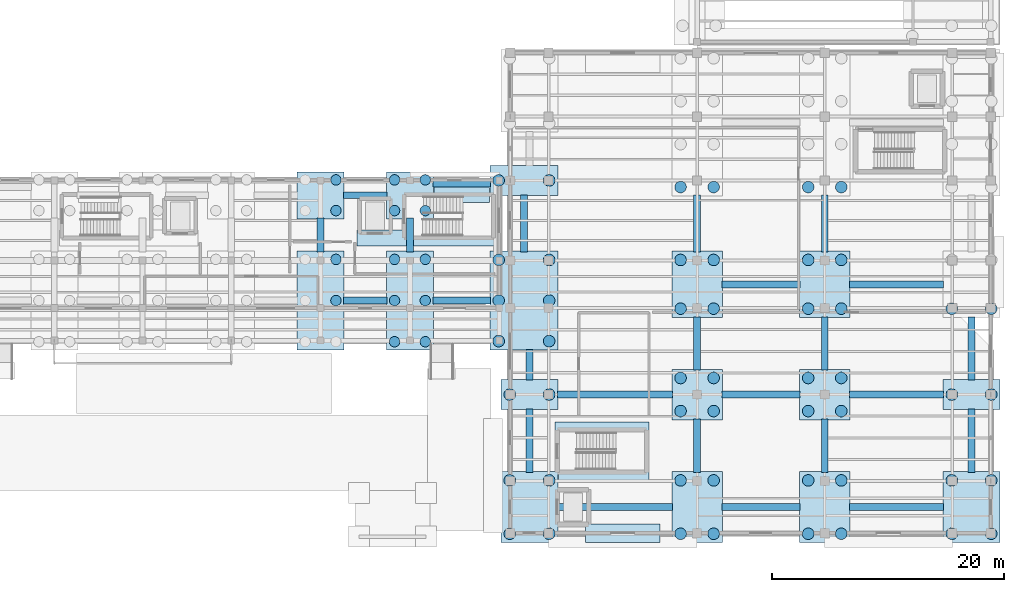
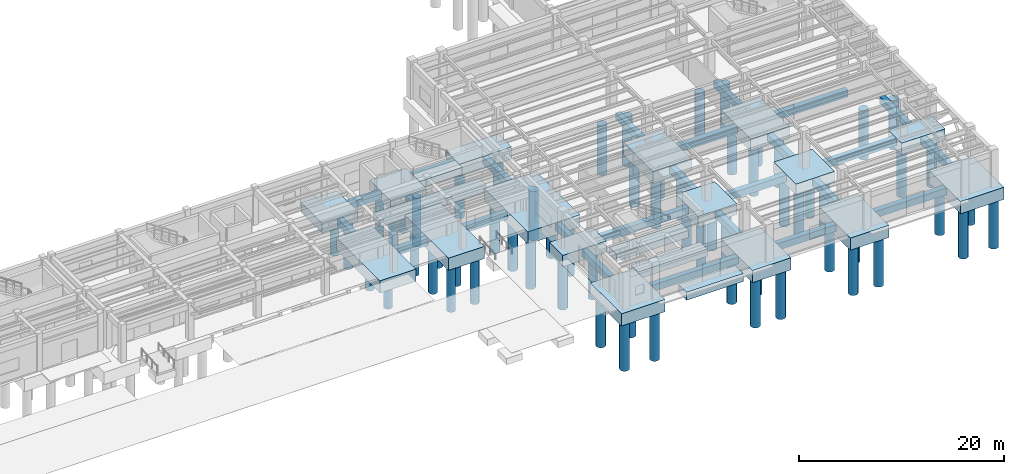
# One storey, part 3 of 41: 64 piles, 46 footings.
"""IFC4 building model written with IfcOpenShell, lengths in metres."""

from ifc_helpers import new_model, si_unit, direction, frame, origin, origin_2d, place, context, subcontext, project, spatial, rectangle, circle, extrude, material, material_profile, profile_set, type_object, element, save


model = new_model("IFC4")

# Units and contexts
model_context = context("Model", 3, precision=1e-05, world=origin(), true_north=direction((0.0, 1.0)))
body_context = subcontext(model_context, "Body", "Model", "MODEL_VIEW")
ifc_project = project(units=[si_unit("LENGTHUNIT", "METRE"), si_unit("AREAUNIT", "SQUARE_METRE"), si_unit("VOLUMEUNIT", "CUBIC_METRE"), si_unit("PLANEANGLEUNIT", "RADIAN"), si_unit("MASSUNIT", "GRAM", prefix="KILO")], contexts=[model_context])

# Site, building, storey
site_placement = place(None, origin())
site = spatial("IfcSite", under=ifc_project, at=site_placement, CompositionType="ELEMENT")
building_placement = place(site_placement, origin())
building = spatial("IfcBuilding", under=site, at=building_placement, Name="Candilejo Ridge Gondola Terminal", CompositionType="ELEMENT")
storey_placement = place(building_placement, origin())
storey = spatial("IfcBuildingStorey", under=building, at=storey_placement, Name="L00", CompositionType="ELEMENT", Elevation=0.0)

# Piles
ifc_material_1 = material(Name="Concrete f'c 28 MPa (C28/35)", Category="concrete")
ifc_material_profile_1 = material_profile(ifc_material_1, circle(Radius=0.5, at=origin_2d()))
ifc_profile_set_1 = profile_set([ifc_material_profile_1], Name="Concrete f'c 28 MPa (C28/35)")
pile_type_1 = type_object("IfcPileType", Name="STR-BORED-PILE-D1000", PredefinedType="BORED", material=ifc_profile_set_1)
for number, where, z_axis, x_axis, name in (
    (1, (132.89990234375, 22.85009765625, -1.35009765625), (0.0, 0.0, -1.0), (1.0, 0.0, 0.0), "Bored pile L00-185"),
    (2, (132.89990234375, 26.35009765625, -1.35009765625), (0.0, 0.0, -1.0), (1.0, 0.0, 0.0), "Bored pile L00-186"),
    (3, (132.89990234375, 29.85009765625, -1.35009765625), (0.0, 0.0, -1.0), (1.0, 0.0, 0.0), "Bored pile L00-187"),
    (4, (137.25, 22.85009765625, -1.35009765625), (0.0, 0.0, -1.0), (1.0, 0.0, 0.0), "Bored pile L00-188"),
    (5, (137.25, 26.35009765625, -1.35009765625), (0.0, 0.0, -1.0), (1.0, 0.0, 0.0), "Bored pile L00-189"),
    (6, (137.25, 29.85009765625, -1.35009765625), (0.0, 0.0, -1.0), (1.0, 0.0, 0.0), "Bored pile L00-190"),
    (7, (132.89990234375, 36.699951171875, -1.35009765625), (0.0, 0.0, -1.0), (1.0, 0.0, 0.0), "Bored pile L00-191"),
    (8, (137.25, 36.699951171875, -1.35009765625), (0.0, 0.0, -1.0), (1.0, 0.0, 0.0), "Bored pile L00-192"),
    (9, (133.85009765625, 6.25, -1.35009765625), (0.0, 0.0, -1.0), (1.0, 0.0, 0.0), "Bored pile L00-193"),
    (10, (133.85009765625, 10.85009765625, -1.35009765625), (0.0, 0.0, -1.0), (1.0, 0.0, 0.0), "Bored pile L00-194"),
    (11, (137.25, 6.25, -1.35009765625), (0.0, 0.0, -1.0), (1.0, 0.0, 0.0), "Bored pile L00-195"),
    (12, (137.25, 10.85009765625, -1.35009765625), (0.0, 0.0, -1.0), (1.0, 0.0, 0.0), "Bored pile L00-196"),
):
    element("IfcPile", number, at=place(storey_placement, frame(where, z_axis=z_axis, x_axis=x_axis)), inside=storey, type_object=pile_type_1, Name=name, PredefinedType="BORED", context=body_context, shape_type="SweptSolid", body=[
        extrude(circle(Radius=0.5, at=origin_2d()), origin(), (0.0, 0.0, 1.0), 5.85009765625),
    ])
for number, where, z_axis, x_axis, name in (
    (13, (133.85009765625, 18.25, -1.25), (0.0, 0.0, -1.0), (1.0, 0.0, 0.0), "Bored pile L00-197"),
    (14, (137.25, 18.25, -1.25), (0.0, 0.0, -1.0), (1.0, 0.0, 0.0), "Bored pile L00-198"),
):
    element("IfcPile", number, at=place(storey_placement, frame(where, z_axis=z_axis, x_axis=x_axis)), inside=storey, type_object=pile_type_1, Name=name, PredefinedType="BORED", context=body_context, shape_type="SweptSolid", body=[
        extrude(circle(Radius=0.5, at=origin_2d()), origin(), (0.0, 0.0, 1.0), 5.949951171875),
    ])
for number, where, z_axis, x_axis, name in (
    (15, (148.574951171875, 6.25, -1.35009765625), (0.0, 0.0, -1.0), (1.0, 0.0, 0.0), "Bored pile L00-203"),
    (16, (148.574951171875, 10.85009765625, -1.35009765625), (0.0, 0.0, -1.0), (1.0, 0.0, 0.0), "Bored pile L00-204"),
    (17, (151.425048828125, 6.25, -1.35009765625), (0.0, 0.0, -1.0), (1.0, 0.0, 0.0), "Bored pile L00-205"),
    (18, (151.425048828125, 10.85009765625, -1.35009765625), (0.0, 0.0, -1.0), (1.0, 0.0, 0.0), "Bored pile L00-206"),
):
    element("IfcPile", number, at=place(storey_placement, frame(where, z_axis=z_axis, x_axis=x_axis)), inside=storey, type_object=pile_type_1, Name=name, PredefinedType="BORED", context=body_context, shape_type="SweptSolid", body=[
        extrude(circle(Radius=0.5, at=origin_2d()), origin(), (0.0, 0.0, 1.0), 5.85009765625),
    ])
for number, where, z_axis, x_axis, name in (
    (19, (148.574951171875, 16.824951171875, -1.199951171875), (0.0, 0.0, -1.0), (1.0, 0.0, 0.0), "Bored pile L00-207"),
    (20, (148.574951171875, 19.675048828125, -1.199951171875), (0.0, 0.0, -1.0), (1.0, 0.0, 0.0), "Bored pile L00-208"),
    (21, (151.425048828125, 16.824951171875, -1.199951171875), (0.0, 0.0, -1.0), (1.0, 0.0, 0.0), "Bored pile L00-209"),
    (22, (151.425048828125, 19.675048828125, -1.199951171875), (0.0, 0.0, -1.0), (1.0, 0.0, 0.0), "Bored pile L00-210"),
):
    element("IfcPile", number, at=place(storey_placement, frame(where, z_axis=z_axis, x_axis=x_axis)), inside=storey, type_object=pile_type_1, Name=name, PredefinedType="BORED", context=body_context, shape_type="SweptSolid", body=[
        extrude(circle(Radius=0.5, at=origin_2d()), origin(), (0.0, 0.0, 1.0), 6.0),
    ])
for number, where, z_axis, x_axis, name in (
    (23, (148.574951171875, 25.64990234375, -1.35009765625), (0.0, 0.0, -1.0), (1.0, 0.0, 0.0), "Bored pile L00-211"),
    (24, (148.574951171875, 29.85009765625, -1.35009765625), (0.0, 0.0, -1.0), (1.0, 0.0, 0.0), "Bored pile L00-212"),
    (25, (151.425048828125, 25.64990234375, -1.35009765625), (0.0, 0.0, -1.0), (1.0, 0.0, 0.0), "Bored pile L00-213"),
    (26, (151.425048828125, 29.85009765625, -1.35009765625), (0.0, 0.0, -1.0), (1.0, 0.0, 0.0), "Bored pile L00-214"),
    (27, (148.574951171875, 36.1298828125, -1.35009765625), (0.0, 0.0, -1.0), (1.0, 0.0, 0.0), "Bored pile L00-215"),
    (28, (151.425048828125, 36.1298828125, -1.35009765625), (0.0, 0.0, -1.0), (1.0, 0.0, 0.0), "Bored pile L00-219"),
    (29, (159.574951171875, 6.25, -1.35009765625), (0.0, 0.0, -1.0), (1.0, 0.0, 0.0), "Bored pile L00-223"),
    (30, (159.574951171875, 10.85009765625, -1.35009765625), (0.0, 0.0, -1.0), (1.0, 0.0, 0.0), "Bored pile L00-224"),
    (31, (162.425048828125, 6.25, -1.35009765625), (0.0, 0.0, -1.0), (1.0, 0.0, 0.0), "Bored pile L00-225"),
    (32, (162.425048828125, 10.85009765625, -1.35009765625), (0.0, 0.0, -1.0), (1.0, 0.0, 0.0), "Bored pile L00-226"),
):
    element("IfcPile", number, at=place(storey_placement, frame(where, z_axis=z_axis, x_axis=x_axis)), inside=storey, type_object=pile_type_1, Name=name, PredefinedType="BORED", context=body_context, shape_type="SweptSolid", body=[
        extrude(circle(Radius=0.5, at=origin_2d()), origin(), (0.0, 0.0, 1.0), 5.85009765625),
    ])
for number, where, z_axis, x_axis, name in (
    (33, (159.574951171875, 16.824951171875, -1.199951171875), (0.0, 0.0, -1.0), (1.0, 0.0, 0.0), "Bored pile L00-227"),
    (34, (159.574951171875, 19.675048828125, -1.199951171875), (0.0, 0.0, -1.0), (1.0, 0.0, 0.0), "Bored pile L00-228"),
    (35, (162.425048828125, 16.824951171875, -1.199951171875), (0.0, 0.0, -1.0), (1.0, 0.0, 0.0), "Bored pile L00-229"),
    (36, (162.425048828125, 19.675048828125, -1.199951171875), (0.0, 0.0, -1.0), (1.0, 0.0, 0.0), "Bored pile L00-230"),
):
    element("IfcPile", number, at=place(storey_placement, frame(where, z_axis=z_axis, x_axis=x_axis)), inside=storey, type_object=pile_type_1, Name=name, PredefinedType="BORED", context=body_context, shape_type="SweptSolid", body=[
        extrude(circle(Radius=0.5, at=origin_2d()), origin(), (0.0, 0.0, 1.0), 6.0),
    ])
for number, where, z_axis, x_axis, name in (
    (37, (159.574951171875, 25.64990234375, -1.35009765625), (0.0, 0.0, -1.0), (1.0, 0.0, 0.0), "Bored pile L00-231"),
    (38, (159.574951171875, 29.85009765625, -1.35009765625), (0.0, 0.0, -1.0), (1.0, 0.0, 0.0), "Bored pile L00-232"),
    (39, (162.425048828125, 25.64990234375, -1.35009765625), (0.0, 0.0, -1.0), (1.0, 0.0, 0.0), "Bored pile L00-233"),
    (40, (162.425048828125, 29.85009765625, -1.35009765625), (0.0, 0.0, -1.0), (1.0, 0.0, 0.0), "Bored pile L00-234"),
    (41, (159.574951171875, 36.1298828125, -1.35009765625), (0.0, 0.0, -1.0), (1.0, 0.0, 0.0), "Bored pile L00-235"),
    (42, (162.425048828125, 36.1298828125, -1.35009765625), (0.0, 0.0, -1.0), (1.0, 0.0, 0.0), "Bored pile L00-239"),
    (43, (171.949951171875, 6.25, -1.35009765625), (0.0, 0.0, -1.0), (1.0, 0.0, 0.0), "Bored pile L00-243"),
    (44, (171.949951171875, 10.85009765625, -1.35009765625), (0.0, 0.0, -1.0), (1.0, 0.0, 0.0), "Bored pile L00-244"),
    (45, (175.35009765625, 6.25, -1.35009765625), (0.0, 0.0, -1.0), (1.0, 0.0, 0.0), "Bored pile L00-245"),
    (46, (175.35009765625, 10.85009765625, -1.35009765625), (0.0, 0.0, -1.0), (1.0, 0.0, 0.0), "Bored pile L00-246"),
):
    element("IfcPile", number, at=place(storey_placement, frame(where, z_axis=z_axis, x_axis=x_axis)), inside=storey, type_object=pile_type_1, Name=name, PredefinedType="BORED", context=body_context, shape_type="SweptSolid", body=[
        extrude(circle(Radius=0.5, at=origin_2d()), origin(), (0.0, 0.0, 1.0), 5.85009765625),
    ])
for number, where, z_axis, x_axis, name in (
    (47, (171.949951171875, 18.25, -1.25), (0.0, 0.0, -1.0), (1.0, 0.0, 0.0), "Bored pile L00-247"),
    (48, (175.35009765625, 18.25, -1.25), (0.0, 0.0, -1.0), (1.0, 0.0, 0.0), "Bored pile L00-248"),
):
    element("IfcPile", number, at=place(storey_placement, frame(where, z_axis=z_axis, x_axis=x_axis)), inside=storey, type_object=pile_type_1, Name=name, PredefinedType="BORED", context=body_context, shape_type="SweptSolid", body=[
        extrude(circle(Radius=0.5, at=origin_2d()), origin(), (0.0, 0.0, 1.0), 5.949951171875),
    ])
for number, where, z_axis, x_axis, name in (
    (49, (171.949951171875, 25.64990234375, -1.35009765625), (0.0, 0.0, -1.0), (1.0, 0.0, 0.0), "Bored pile L00-249"),
    (50, (175.35009765625, 25.64990234375, -1.35009765625), (0.0, 0.0, -1.0), (1.0, 0.0, 0.0), "Bored pile L00-251"),
):
    element("IfcPile", number, at=place(storey_placement, frame(where, z_axis=z_axis, x_axis=x_axis)), inside=storey, type_object=pile_type_1, Name=name, PredefinedType="BORED", context=body_context, shape_type="SweptSolid", body=[
        extrude(circle(Radius=0.5, at=origin_2d()), origin(), (0.0, 0.0, 1.0), 5.85009765625),
    ])
ifc_material_2 = material(Name="Concrete f'c 28 MPa (C28/35)", Category="concrete")
ifc_material_profile_2 = material_profile(ifc_material_2, circle(Radius=0.449951171875, at=origin_2d()))
ifc_profile_set_2 = profile_set([ifc_material_profile_2], Name="Concrete f'c 28 MPa (C28/35)")
pile_type_2 = type_object("IfcPileType", Name="STR-BORED-PILE-D900", PredefinedType="BORED", material=ifc_profile_set_2)
for number, where, z_axis, x_axis, name in (
    (51, (118.875, 26.35009765625, -1.35009765625), (0.0, 0.0, -1.0), (1.0, 0.0, 0.0), "Bored pile L00-169"),
    (52, (118.875, 29.89990234375, -1.35009765625), (0.0, 0.0, -1.0), (1.0, 0.0, 0.0), "Bored pile L00-170"),
):
    element("IfcPile", number, at=place(storey_placement, frame(where, z_axis=z_axis, x_axis=x_axis)), inside=storey, type_object=pile_type_2, Name=name, PredefinedType="BORED", context=body_context, shape_type="SweptSolid", body=[
        extrude(circle(Radius=0.449951171875, at=origin_2d()), origin(), (0.0, 0.0, 1.0), 5.449951171875),
    ])
for number, where, z_axis, x_axis, name in (
    (53, (118.875, 34.10009765625, -1.050048828125), (0.0, 0.0, -1.0), (1.0, 0.0, 0.0), "Bored pile L00-173"),
    (54, (118.875, 36.75, -1.050048828125), (0.0, 0.0, -1.0), (1.0, 0.0, 0.0), "Bored pile L00-174"),
):
    element("IfcPile", number, at=place(storey_placement, frame(where, z_axis=z_axis, x_axis=x_axis)), inside=storey, type_object=pile_type_2, Name=name, PredefinedType="BORED", context=body_context, shape_type="SweptSolid", body=[
        extrude(circle(Radius=0.449951171875, at=origin_2d()), origin(), (0.0, 0.0, 1.0), 5.75),
    ])
for number, where, z_axis, x_axis, name in (
    (55, (123.925048828125, 22.800048828125, -1.35009765625), (0.0, 0.0, -1.0), (1.0, 0.0, 0.0), "Bored pile L00-175"),
    (56, (123.925048828125, 26.35009765625, -1.35009765625), (0.0, 0.0, -1.0), (1.0, 0.0, 0.0), "Bored pile L00-176"),
    (57, (123.925048828125, 29.89990234375, -1.35009765625), (0.0, 0.0, -1.0), (1.0, 0.0, 0.0), "Bored pile L00-177"),
    (58, (126.574951171875, 22.800048828125, -1.35009765625), (0.0, 0.0, -1.0), (1.0, 0.0, 0.0), "Bored pile L00-178"),
    (59, (126.574951171875, 26.35009765625, -1.35009765625), (0.0, 0.0, -1.0), (1.0, 0.0, 0.0), "Bored pile L00-179"),
    (60, (126.574951171875, 29.89990234375, -1.35009765625), (0.0, 0.0, -1.0), (1.0, 0.0, 0.0), "Bored pile L00-180"),
):
    element("IfcPile", number, at=place(storey_placement, frame(where, z_axis=z_axis, x_axis=x_axis)), inside=storey, type_object=pile_type_2, Name=name, PredefinedType="BORED", context=body_context, shape_type="SweptSolid", body=[
        extrude(circle(Radius=0.449951171875, at=origin_2d()), origin(), (0.0, 0.0, 1.0), 5.449951171875),
    ])
for number, where, z_axis, x_axis, name in (
    (61, (123.925048828125, 34.10009765625, -1.050048828125), (0.0, 0.0, -1.0), (1.0, 0.0, 0.0), "Bored pile L00-181"),
    (62, (123.925048828125, 36.75, -1.050048828125), (0.0, 0.0, -1.0), (1.0, 0.0, 0.0), "Bored pile L00-182"),
    (63, (126.574951171875, 34.10009765625, -1.050048828125), (0.0, 0.0, -1.0), (1.0, 0.0, 0.0), "Bored pile L00-183"),
    (64, (126.574951171875, 36.75, -1.050048828125), (0.0, 0.0, -1.0), (1.0, 0.0, 0.0), "Bored pile L00-184"),
):
    element("IfcPile", number, at=place(storey_placement, frame(where, z_axis=z_axis, x_axis=x_axis)), inside=storey, type_object=pile_type_2, Name=name, PredefinedType="BORED", context=body_context, shape_type="SweptSolid", body=[
        extrude(circle(Radius=0.449951171875, at=origin_2d()), origin(), (0.0, 0.0, 1.0), 5.75),
    ])

# Footings
ifc_material_3 = material(Name="Concrete f'c 35 MPa (C35/45)", Category="concrete")
footing_type_1 = type_object("IfcFootingType", Name="STR-FOOTING-BEAM-600X800", PredefinedType="FOOTING_BEAM", material=ifc_material_3)
footing_1_placement = place(storey_placement, frame((142.91259765625, 8.550048828125, -0.85009765625), z_axis=(0.0, 0.0, 1.0), x_axis=(1.0, 0.0, 0.0)))
element("IfcFooting", 65, at=footing_1_placement, inside=storey, type_object=footing_type_1, Name="Foundation tie beam X L00-006", PredefinedType="FOOTING_BEAM", context=body_context, shape_type="SweptSolid", body=[
    extrude(rectangle(XDim=9.925048828125, YDim=0.60009765625, at=origin_2d()), origin(), (0.0, 0.0, 1.0), 0.800048828125),
])
footing_2_placement = place(storey_placement, frame((155.5, 8.550048828125, -0.85009765625), z_axis=(0.0, 0.0, 1.0), x_axis=(1.0, 0.0, 0.0)))
element("IfcFooting", 66, at=footing_2_placement, inside=storey, type_object=footing_type_1, Name="Foundation tie beam X L00-007", PredefinedType="FOOTING_BEAM", context=body_context, shape_type="SweptSolid", body=[
    extrude(rectangle(XDim=6.75, YDim=0.60009765625, at=origin_2d()), origin(), (0.0, 0.0, 1.0), 0.800048828125),
])
footing_3_placement = place(storey_placement, frame((167.1875, 8.550048828125, -0.85009765625), z_axis=(0.0, 0.0, 1.0), x_axis=(1.0, 0.0, 0.0)))
element("IfcFooting", 67, at=footing_3_placement, inside=storey, type_object=footing_type_1, Name="Foundation tie beam X L00-008", PredefinedType="FOOTING_BEAM", context=body_context, shape_type="SweptSolid", body=[
    extrude(rectangle(XDim=8.125, YDim=0.60009765625, at=origin_2d()), origin(), (0.0, 0.0, 1.0), 0.800048828125),
])
footing_4_placement = place(storey_placement, frame((142.91259765625, 18.25, -0.85009765625), z_axis=(0.0, 0.0, 1.0), x_axis=(1.0, 0.0, 0.0)))
element("IfcFooting", 68, at=footing_4_placement, inside=storey, type_object=footing_type_1, Name="Foundation tie beam X L00-014", PredefinedType="FOOTING_BEAM", context=body_context, shape_type="SweptSolid", body=[
    extrude(rectangle(XDim=9.925048828125, YDim=0.60009765625, at=origin_2d()), origin(), (0.0, 0.0, 1.0), 0.800048828125),
])
footing_5_placement = place(storey_placement, frame((155.5, 18.25, -0.85009765625), z_axis=(0.0, 0.0, 1.0), x_axis=(1.0, 0.0, 0.0)))
element("IfcFooting", 69, at=footing_5_placement, inside=storey, type_object=footing_type_1, Name="Foundation tie beam X L00-015", PredefinedType="FOOTING_BEAM", context=body_context, shape_type="SweptSolid", body=[
    extrude(rectangle(XDim=6.75, YDim=0.60009765625, at=origin_2d()), origin(), (0.0, 0.0, 1.0), 0.800048828125),
])
footing_6_placement = place(storey_placement, frame((167.1875, 18.25, -0.85009765625), z_axis=(0.0, 0.0, 1.0), x_axis=(1.0, 0.0, 0.0)))
element("IfcFooting", 70, at=footing_6_placement, inside=storey, type_object=footing_type_1, Name="Foundation tie beam X L00-016", PredefinedType="FOOTING_BEAM", context=body_context, shape_type="SweptSolid", body=[
    extrude(rectangle(XDim=8.125, YDim=0.60009765625, at=origin_2d()), origin(), (0.0, 0.0, 1.0), 0.800048828125),
])
footing_7_placement = place(storey_placement, frame((121.39990234375, 26.35009765625, -0.85009765625), z_axis=(0.0, 0.0, 1.0), x_axis=(1.0, 0.0, 0.0)))
element("IfcFooting", 71, at=footing_7_placement, inside=storey, type_object=footing_type_1, Name="Foundation tie beam X L00-025", PredefinedType="FOOTING_BEAM", context=body_context, shape_type="SweptSolid", body=[
    extrude(rectangle(XDim=3.75, YDim=0.60009765625, at=origin_2d()), origin(), (0.0, 0.0, 1.0), 0.800048828125),
])
footing_8_placement = place(storey_placement, frame((129.71240234375, 26.35009765625, -0.85009765625), z_axis=(0.0, 0.0, 1.0), x_axis=(1.0, 0.0, 0.0)))
element("IfcFooting", 72, at=footing_8_placement, inside=storey, type_object=footing_type_1, Name="Foundation tie beam X L00-026", PredefinedType="FOOTING_BEAM", context=body_context, shape_type="SweptSolid", body=[
    extrude(rectangle(XDim=4.97509765625, YDim=0.60009765625, at=origin_2d()), origin(), (0.0, 0.0, 1.0), 0.800048828125),
])
footing_9_placement = place(storey_placement, frame((155.5, 27.75, -0.85009765625), z_axis=(0.0, 0.0, 1.0), x_axis=(1.0, 0.0, 0.0)))
element("IfcFooting", 73, at=footing_9_placement, inside=storey, type_object=footing_type_1, Name="Foundation tie beam X L00-028", PredefinedType="FOOTING_BEAM", context=body_context, shape_type="SweptSolid", body=[
    extrude(rectangle(XDim=6.75, YDim=0.60009765625, at=origin_2d()), origin(), (0.0, 0.0, 1.0), 0.800048828125),
])
footing_10_placement = place(storey_placement, frame((167.1875, 27.75, -0.85009765625), z_axis=(0.0, 0.0, 1.0), x_axis=(1.0, 0.0, 0.0)))
element("IfcFooting", 74, at=footing_10_placement, inside=storey, type_object=footing_type_1, Name="Foundation tie beam X L00-029", PredefinedType="FOOTING_BEAM", context=body_context, shape_type="SweptSolid", body=[
    extrude(rectangle(XDim=8.125, YDim=0.60009765625, at=origin_2d()), origin(), (0.0, 0.0, 1.0), 0.800048828125),
])
footing_11_placement = place(storey_placement, frame((121.39990234375, 35.425048828125, -0.85009765625), z_axis=(0.0, 0.0, 1.0), x_axis=(1.0, 0.0, 0.0)))
element("IfcFooting", 75, at=footing_11_placement, inside=storey, type_object=footing_type_1, Name="Foundation tie beam X L00-036", PredefinedType="FOOTING_BEAM", context=body_context, shape_type="SweptSolid", body=[
    extrude(rectangle(XDim=3.75, YDim=0.60009765625, at=origin_2d()), origin(), (0.0, 0.0, 1.0), 0.800048828125),
])
footing_12_placement = place(storey_placement, frame((129.71240234375, 36.425048828125, -0.85009765625), z_axis=(0.0, 0.0, 1.0), x_axis=(1.0, 0.0, 0.0)))
element("IfcFooting", 76, at=footing_12_placement, inside=storey, type_object=footing_type_1, Name="Foundation tie beam X L00-037", PredefinedType="FOOTING_BEAM", context=body_context, shape_type="SweptSolid", body=[
    extrude(rectangle(XDim=4.97509765625, YDim=0.60009765625, at=origin_2d()), origin(), (0.0, 0.0, 1.0), 0.800048828125),
])
for number, where, z_axis, x_axis, name in (
    (77, (117.550048828125, 32.0, -0.85009765625), (0.0, 0.0, 1.0), (1.0, 0.0, 0.0), "Foundation tie beam Y L00-055"),
    (78, (125.25, 32.0, -0.85009765625), (0.0, 0.0, 1.0), (1.0, 0.0, 0.0), "Foundation tie beam Y L00-056"),
):
    element("IfcFooting", number, at=place(storey_placement, frame(where, z_axis=z_axis, x_axis=x_axis)), inside=storey, type_object=footing_type_1, Name=name, PredefinedType="FOOTING_BEAM", context=body_context, shape_type="SweptSolid", body=[
        extrude(rectangle(XDim=0.60009765625, YDim=2.89990234375, at=origin_2d()), origin(), (0.0, 0.0, 1.0), 0.800048828125),
    ])
footing_13_placement = place(storey_placement, frame((135.550048828125, 14.27490234375, -0.85009765625), z_axis=(0.0, 0.0, 1.0), x_axis=(1.0, 0.0, 0.0)))
element("IfcFooting", 79, at=footing_13_placement, inside=storey, type_object=footing_type_1, Name="Foundation tie beam Y L00-057", PredefinedType="FOOTING_BEAM", context=body_context, shape_type="SweptSolid", body=[
    extrude(rectangle(XDim=0.60009765625, YDim=5.449951171875, at=origin_2d()), origin(), (0.0, 0.0, 1.0), 0.800048828125),
])
footing_14_placement = place(storey_placement, frame((135.550048828125, 20.824951171875, -0.85009765625), z_axis=(0.0, 0.0, 1.0), x_axis=(1.0, 0.0, 0.0)))
element("IfcFooting", 80, at=footing_14_placement, inside=storey, type_object=footing_type_1, Name="Foundation tie beam Y L00-058", PredefinedType="FOOTING_BEAM", context=body_context, shape_type="SweptSolid", body=[
    extrude(rectangle(XDim=0.60009765625, YDim=2.64990234375, at=origin_2d()), origin(), (0.0, 0.0, 1.0), 0.800048828125),
])
footing_15_placement = place(storey_placement, frame((135.074951171875, 33.0, -0.85009765625), z_axis=(0.0, 0.0, 1.0), x_axis=(1.0, 0.0, 0.0)))
element("IfcFooting", 81, at=footing_15_placement, inside=storey, type_object=footing_type_1, Name="Foundation tie beam Y L00-059", PredefinedType="FOOTING_BEAM", context=body_context, shape_type="SweptSolid", body=[
    extrude(rectangle(XDim=0.60009765625, YDim=4.89990234375, at=origin_2d()), origin(), (0.0, 0.0, 1.0), 0.800048828125),
])
for number, where, z_axis, x_axis, name in (
    (82, (150.0, 13.83740234375, -0.85009765625), (0.0, 0.0, 1.0), (1.0, 0.0, 0.0), "Foundation tie beam Y L00-061"),
    (83, (150.0, 22.66259765625, -0.85009765625), (0.0, 0.0, 1.0), (1.0, 0.0, 0.0), "Foundation tie beam Y L00-062"),
):
    element("IfcFooting", number, at=place(storey_placement, frame(where, z_axis=z_axis, x_axis=x_axis)), inside=storey, type_object=footing_type_1, Name=name, PredefinedType="FOOTING_BEAM", context=body_context, shape_type="SweptSolid", body=[
        extrude(rectangle(XDim=0.60009765625, YDim=4.574951171875, at=origin_2d()), origin(), (0.0, 0.0, 1.0), 0.800048828125),
    ])
footing_16_placement = place(storey_placement, frame((150.0, 32.989990234375, -0.85009765625), z_axis=(0.0, 0.0, 1.0), x_axis=(1.0, 0.0, 0.0)))
element("IfcFooting", 84, at=footing_16_placement, inside=storey, type_object=footing_type_1, Name="Foundation tie beam Y L00-063", PredefinedType="FOOTING_BEAM", context=body_context, shape_type="SweptSolid", body=[
    extrude(rectangle(XDim=0.60009765625, YDim=4.8798828125, at=origin_2d()), origin(), (0.0, 0.0, 1.0), 0.800048828125),
])
for number, where, z_axis, x_axis, name in (
    (85, (161.0, 13.83740234375, -0.85009765625), (0.0, 0.0, 1.0), (1.0, 0.0, 0.0), "Foundation tie beam Y L00-064"),
    (86, (161.0, 22.66259765625, -0.85009765625), (0.0, 0.0, 1.0), (1.0, 0.0, 0.0), "Foundation tie beam Y L00-065"),
):
    element("IfcFooting", number, at=place(storey_placement, frame(where, z_axis=z_axis, x_axis=x_axis)), inside=storey, type_object=footing_type_1, Name=name, PredefinedType="FOOTING_BEAM", context=body_context, shape_type="SweptSolid", body=[
        extrude(rectangle(XDim=0.60009765625, YDim=4.574951171875, at=origin_2d()), origin(), (0.0, 0.0, 1.0), 0.800048828125),
    ])
footing_17_placement = place(storey_placement, frame((161.0, 32.989990234375, -0.85009765625), z_axis=(0.0, 0.0, 1.0), x_axis=(1.0, 0.0, 0.0)))
element("IfcFooting", 87, at=footing_17_placement, inside=storey, type_object=footing_type_1, Name="Foundation tie beam Y L00-066", PredefinedType="FOOTING_BEAM", context=body_context, shape_type="SweptSolid", body=[
    extrude(rectangle(XDim=0.60009765625, YDim=4.8798828125, at=origin_2d()), origin(), (0.0, 0.0, 1.0), 0.800048828125),
])
for number, where, z_axis, x_axis, name in (
    (88, (173.64990234375, 14.27490234375, -0.85009765625), (0.0, 0.0, 1.0), (1.0, 0.0, 0.0), "Foundation tie beam Y L00-067"),
    (89, (173.64990234375, 22.22509765625, -0.85009765625), (0.0, 0.0, 1.0), (1.0, 0.0, 0.0), "Foundation tie beam Y L00-068"),
):
    element("IfcFooting", number, at=place(storey_placement, frame(where, z_axis=z_axis, x_axis=x_axis)), inside=storey, type_object=footing_type_1, Name=name, PredefinedType="FOOTING_BEAM", context=body_context, shape_type="SweptSolid", body=[
        extrude(rectangle(XDim=0.60009765625, YDim=5.449951171875, at=origin_2d()), origin(), (0.0, 0.0, 1.0), 0.800048828125),
    ])
ifc_material_4 = material(Name="Concrete f'c 35 MPa (C35/45)", Category="concrete")
footing_type_2 = type_object("IfcFootingType", Name="STR-PILE-CAP-B00-405X405X115", PredefinedType="PILE_CAP", material=ifc_material_4)
for number, where, z_axis, x_axis, name in (
    (90, (117.550048828125, 35.425048828125, -1.14990234375), (0.0, 0.0, 1.0), (1.0, 0.0, 0.0), "Pile cap CAP-B00-034"),
    (91, (125.25, 35.425048828125, -1.14990234375), (0.0, 0.0, 1.0), (1.0, 0.0, 0.0), "Pile cap CAP-B00-036"),
):
    element("IfcFooting", number, at=place(storey_placement, frame(where, z_axis=z_axis, x_axis=x_axis)), inside=storey, type_object=footing_type_2, Name=name, PredefinedType="PILE_CAP", context=body_context, shape_type="SweptSolid", body=[
        extrude(rectangle(XDim=4.050048828125, YDim=4.050048828125, at=origin_2d()), origin(), (0.0, 0.0, 1.0), 1.14990234375),
    ])
ifc_material_5 = material(Name="Concrete f'c 35 MPa (C35/45)", Category="concrete")
footing_type_3 = type_object("IfcFootingType", Name="STR-PILE-CAP-B00-405X850X145", PredefinedType="PILE_CAP", material=ifc_material_5)
for number, where, z_axis, x_axis, name in (
    (92, (117.550048828125, 26.35009765625, -1.4501953125), (0.0, 0.0, 1.0), (1.0, 0.0, 0.0), "Pile cap CAP-B00-033"),
    (93, (125.25, 26.35009765625, -1.4501953125), (0.0, 0.0, 1.0), (1.0, 0.0, 0.0), "Pile cap CAP-B00-035"),
):
    element("IfcFooting", number, at=place(storey_placement, frame(where, z_axis=z_axis, x_axis=x_axis)), inside=storey, type_object=footing_type_3, Name=name, PredefinedType="PILE_CAP", context=body_context, shape_type="SweptSolid", body=[
        extrude(rectangle(XDim=4.050048828125, YDim=8.5, at=origin_2d()), origin(), (0.0, 0.0, 1.0), 1.449951171875),
    ])
ifc_material_6 = material(Name="Concrete f'c 35 MPa (C35/45)", Category="concrete")
footing_type_4 = type_object("IfcFootingType", Name="STR-PILE-CAP-B00-435X435X130", PredefinedType="PILE_CAP", material=ifc_material_6)
for number, where, z_axis, x_axis, name in (
    (94, (150.0, 18.25, -1.2998046875), (0.0, 0.0, 1.0), (1.0, 0.0, 0.0), "Pile cap CAP-B00-043"),
    (95, (161.0, 18.25, -1.2998046875), (0.0, 0.0, 1.0), (1.0, 0.0, 0.0), "Pile cap CAP-B00-047"),
):
    element("IfcFooting", number, at=place(storey_placement, frame(where, z_axis=z_axis, x_axis=x_axis)), inside=storey, type_object=footing_type_4, Name=name, PredefinedType="PILE_CAP", context=body_context, shape_type="SweptSolid", body=[
        extrude(rectangle(XDim=4.35009765625, YDim=4.35009765625, at=origin_2d()), origin(), (0.0, 0.0, 1.0), 1.300048828125),
    ])
ifc_material_7 = material(Name="Concrete f'c 35 MPa (C35/45)", Category="concrete")
footing_type_5 = type_object("IfcFootingType", Name="STR-PILE-CAP-B00-435X570X145", PredefinedType="PILE_CAP", material=ifc_material_7)
for number, where, z_axis, x_axis, name in (
    (96, (150.0, 27.75, -1.4501953125), (0.0, 0.0, 1.0), (1.0, 0.0, 0.0), "Pile cap CAP-B00-044"),
    (97, (161.0, 27.75, -1.4501953125), (0.0, 0.0, 1.0), (1.0, 0.0, 0.0), "Pile cap CAP-B00-048"),
):
    element("IfcFooting", number, at=place(storey_placement, frame(where, z_axis=z_axis, x_axis=x_axis)), inside=storey, type_object=footing_type_5, Name=name, PredefinedType="PILE_CAP", context=body_context, shape_type="SweptSolid", body=[
        extrude(rectangle(XDim=4.35009765625, YDim=5.699951171875, at=origin_2d()), origin(), (0.0, 0.0, 1.0), 1.449951171875),
    ])
ifc_material_8 = material(Name="Concrete f'c 35 MPa (C35/45)", Category="concrete")
footing_type_6 = type_object("IfcFootingType", Name="STR-PILE-CAP-B00-435X610X145", PredefinedType="PILE_CAP", material=ifc_material_8)
for number, where, z_axis, x_axis, name in (
    (98, (150.0, 8.550048828125, -1.4501953125), (0.0, 0.0, 1.0), (1.0, 0.0, 0.0), "Pile cap CAP-B00-042"),
    (99, (161.0, 8.550048828125, -1.4501953125), (0.0, 0.0, 1.0), (1.0, 0.0, 0.0), "Pile cap CAP-B00-046"),
):
    element("IfcFooting", number, at=place(storey_placement, frame(where, z_axis=z_axis, x_axis=x_axis)), inside=storey, type_object=footing_type_6, Name=name, PredefinedType="PILE_CAP", context=body_context, shape_type="SweptSolid", body=[
        extrude(rectangle(XDim=4.35009765625, YDim=6.10009765625, at=origin_2d()), origin(), (0.0, 0.0, 1.0), 1.449951171875),
    ])
ifc_material_9 = material(Name="Concrete f'c 35 MPa (C35/45)", Category="concrete")
footing_type_7 = type_object("IfcFootingType", Name="STR-PILE-CAP-B00-490X260X135", PredefinedType="PILE_CAP", material=ifc_material_9)
for number, where, z_axis, x_axis, name in (
    (100, (135.550048828125, 18.25, -1.35009765625), (0.0, 0.0, 1.0), (1.0, 0.0, 0.0), "Pile cap CAP-B00-040"),
    (101, (173.64990234375, 18.25, -1.35009765625), (0.0, 0.0, 1.0), (1.0, 0.0, 0.0), "Pile cap CAP-B00-051"),
):
    element("IfcFooting", number, at=place(storey_placement, frame(where, z_axis=z_axis, x_axis=x_axis)), inside=storey, type_object=footing_type_7, Name=name, PredefinedType="PILE_CAP", context=body_context, shape_type="SweptSolid", body=[
        extrude(rectangle(XDim=4.89990234375, YDim=2.60009765625, at=origin_2d()), origin(), (0.0, 0.0, 1.0), 1.35009765625),
    ])
ifc_material_10 = material(Name="Concrete f'c 35 MPa (C35/45)", Category="concrete")
footing_type_8 = type_object("IfcFootingType", Name="STR-PILE-CAP-B00-490X610X145", PredefinedType="PILE_CAP", material=ifc_material_10)
for number, where, z_axis, x_axis, name in (
    (102, (135.550048828125, 8.550048828125, -1.4501953125), (0.0, 0.0, 1.0), (1.0, 0.0, 0.0), "Pile cap CAP-B00-039"),
    (103, (173.64990234375, 8.550048828125, -1.4501953125), (0.0, 0.0, 1.0), (1.0, 0.0, 0.0), "Pile cap CAP-B00-050"),
):
    element("IfcFooting", number, at=place(storey_placement, frame(where, z_axis=z_axis, x_axis=x_axis)), inside=storey, type_object=footing_type_8, Name=name, PredefinedType="PILE_CAP", context=body_context, shape_type="SweptSolid", body=[
        extrude(rectangle(XDim=4.89990234375, YDim=6.10009765625, at=origin_2d()), origin(), (0.0, 0.0, 1.0), 1.449951171875),
    ])
ifc_material_11 = material(Name="Concrete f'c 35 MPa (C35/45)", Category="concrete")
footing_type_9 = type_object("IfcFootingType", Name="STR-PILE-CAP-B00-585X260X145", PredefinedType="PILE_CAP", material=ifc_material_11)
footing_18_placement = place(storey_placement, frame((135.074951171875, 36.699951171875, -1.4501953125), z_axis=(0.0, 0.0, 1.0), x_axis=(1.0, 0.0, 0.0)))
element("IfcFooting", 104, at=footing_18_placement, inside=storey, type_object=footing_type_9, Name="Pile cap CAP-B00-038", PredefinedType="PILE_CAP", context=body_context, shape_type="SweptSolid", body=[
    extrude(rectangle(XDim=5.85009765625, YDim=2.60009765625, at=origin_2d()), origin(), (0.0, 0.0, 1.0), 1.449951171875),
])
ifc_material_12 = material(Name="Concrete f'c 35 MPa (C35/45)", Category="concrete")
footing_type_10 = type_object("IfcFootingType", Name="STR-PILE-CAP-B00-585X850X145", PredefinedType="PILE_CAP", material=ifc_material_12)
footing_19_placement = place(storey_placement, frame((135.074951171875, 26.35009765625, -1.4501953125), z_axis=(0.0, 0.0, 1.0), x_axis=(1.0, 0.0, 0.0)))
element("IfcFooting", 105, at=footing_19_placement, inside=storey, type_object=footing_type_10, Name="Pile cap CAP-B00-037", PredefinedType="PILE_CAP", context=body_context, shape_type="SweptSolid", body=[
    extrude(rectangle(XDim=5.85009765625, YDim=8.5, at=origin_2d()), origin(), (0.0, 0.0, 1.0), 1.449951171875),
])
ifc_material_13 = material(Name="Concrete f'c 35 MPa (C35/45)", Category="concrete")
footing_type_11 = type_object("IfcFootingType", Name="STR-STRIP-FOOTING-1400X850", PredefinedType="STRIP_FOOTING", material=ifc_material_13)
footing_20_placement = place(storey_placement, frame((126.675048828125, 31.75, -0.85009765625), z_axis=(0.0, 0.0, 1.0), x_axis=(1.0, 0.0, 0.0)))
element("IfcFooting", 106, at=footing_20_placement, inside=storey, type_object=footing_type_11, Name="Core strip footing L00-011", PredefinedType="STRIP_FOOTING", context=body_context, shape_type="SweptSolid", body=[
    extrude(rectangle(XDim=11.949951171875, YDim=1.39990234375, at=origin_2d()), origin(), (0.0, 0.0, 1.0), 0.85009765625),
])
footing_21_placement = place(storey_placement, frame((129.71240234375, 35.5, -0.85009765625), z_axis=(0.0, 0.0, 1.0), x_axis=(1.0, 0.0, 0.0)))
element("IfcFooting", 107, at=footing_21_placement, inside=storey, type_object=footing_type_11, Name="Core strip footing L00-012", PredefinedType="STRIP_FOOTING", context=body_context, shape_type="SweptSolid", body=[
    extrude(rectangle(XDim=4.7548828125, YDim=1.39990234375, at=origin_2d()), origin(), (0.0, 0.0, 1.0), 0.85009765625),
])
footing_22_placement = place(storey_placement, frame((141.955078125, 11.550048828125, -0.85009765625), z_axis=(0.0, 0.0, 1.0), x_axis=(1.0, 0.0, 0.0)))
element("IfcFooting", 108, at=footing_22_placement, inside=storey, type_object=footing_type_11, Name="Core strip footing L00-013", PredefinedType="STRIP_FOOTING", context=body_context, shape_type="SweptSolid", body=[
    extrude(rectangle(XDim=7.7900390625, YDim=1.39990234375, at=origin_2d()), origin(), (0.0, 0.0, 1.0), 0.85009765625),
])
footing_23_placement = place(storey_placement, frame((141.800048828125, 15.199951171875, -0.85009765625), z_axis=(0.0, 0.0, 1.0), x_axis=(1.0, 0.0, 0.0)))
element("IfcFooting", 109, at=footing_23_placement, inside=storey, type_object=footing_type_11, Name="Core strip footing L00-014", PredefinedType="STRIP_FOOTING", context=body_context, shape_type="SweptSolid", body=[
    extrude(rectangle(XDim=8.10009765625, YDim=1.39990234375, at=origin_2d()), origin(), (0.0, 0.0, 1.0), 0.85009765625),
])
ifc_material_14 = material(Name="Concrete f'c 35 MPa (C35/45)", Category="concrete")
footing_type_12 = type_object("IfcFootingType", Name="STR-STRIP-FOOTING-1600X950", PredefinedType="STRIP_FOOTING", material=ifc_material_14)
footing_24_placement = place(storey_placement, frame((143.60009765625, 6.300048828125, -0.9501953125), z_axis=(0.0, 0.0, 1.0), x_axis=(1.0, 0.0, 0.0)))
element("IfcFooting", 110, at=footing_24_placement, inside=storey, type_object=footing_type_12, Name="Wall strip footing L00-017", PredefinedType="STRIP_FOOTING", context=body_context, shape_type="SweptSolid", body=[
    extrude(rectangle(XDim=6.39990234375, YDim=1.60009765625, at=origin_2d()), origin(), (0.0, 0.0, 1.0), 0.949951171875),
])

save(model, "model.ifc")
